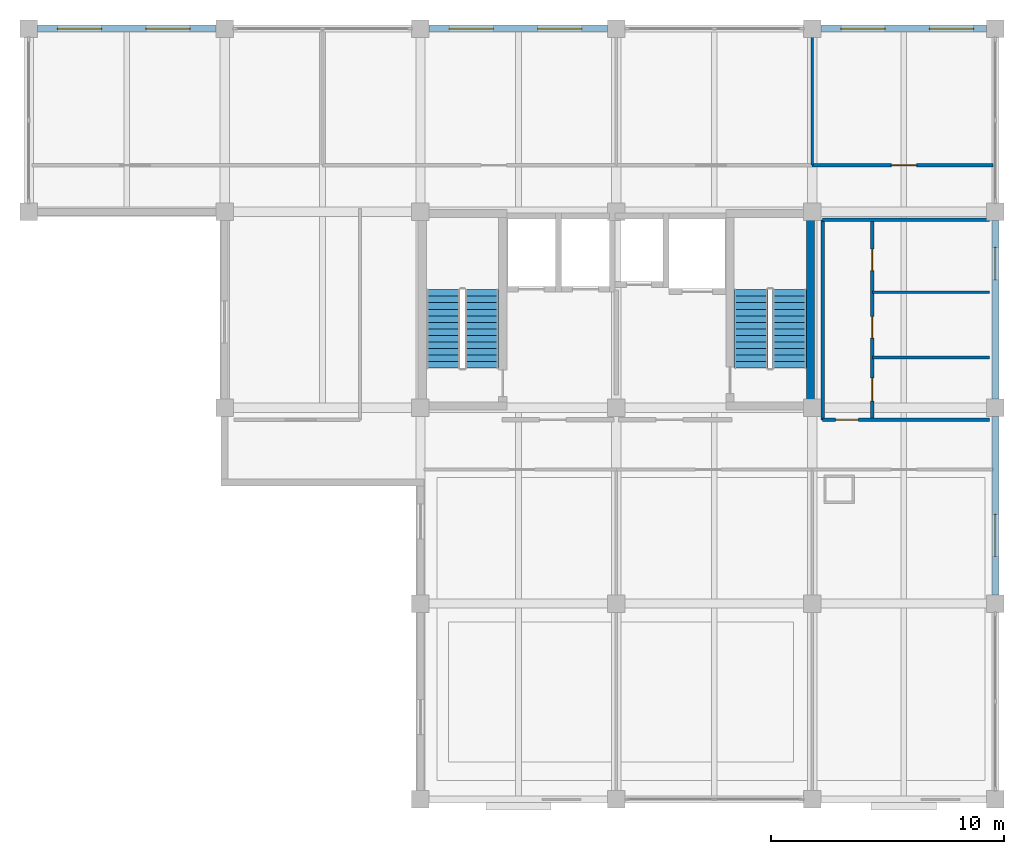
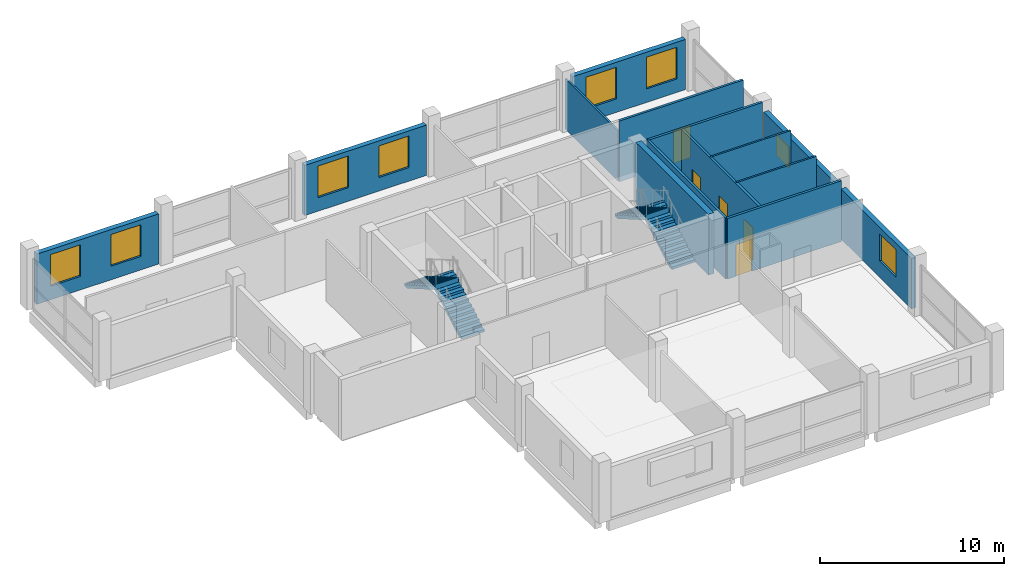
# One storey, part 8 of 9: 14 walls, 8 windows, 5 doors, 4 stair flights, 13 openings, 2 elements without a shape of their own.
"""IFC4 building model written with IfcOpenShell, lengths in metres."""

from ifc_helpers import new_model, si_unit, direction, frame, frame_2d, origin, place, context, subcontext, project, spatial, polyline, rectangle, outline, extrude, material, layer, layer_set, type_object, element, fill, aggregate, save


model = new_model("IFC4")

# Units and contexts
model_context = context("Model", 3, precision=1e-05, world=origin(), true_north=direction((0.0, 1.0)))
body_context = subcontext(model_context, "Body", "Model", "MODEL_VIEW")
ifc_project = project(units=[si_unit("LENGTHUNIT", "METRE"), si_unit("AREAUNIT", "SQUARE_METRE"), si_unit("VOLUMEUNIT", "CUBIC_METRE"), si_unit("PLANEANGLEUNIT", "RADIAN"), si_unit("MASSUNIT", "GRAM", prefix="KILO")], contexts=[model_context])

# Site, building, storey
site_placement = place(None, origin())
site = spatial("IfcSite", under=ifc_project, at=site_placement, CompositionType="ELEMENT")
building_placement = place(site_placement, origin())
building = spatial("IfcBuilding", under=site, at=building_placement, Name="Brinegate Botanical Conservatory", CompositionType="ELEMENT")
storey_placement = place(building_placement, frame((0.0, 0.0, 52.800048828125)))
storey = spatial("IfcBuildingStorey", under=building, at=storey_placement, Name="L13", CompositionType="ELEMENT", Elevation=52.800048828125)

# Wall, openings, windows
ifc_material_1 = material(Name="Insulated Minnan red clay brick masonry", Category="masonry")
ifc_layer_1 = layer(ifc_material_1, 0.300048828125, Name="Insulated Minnan red clay brick masonry", Category="masonry")
ifc_layer_set_1 = layer_set([ifc_layer_1], Name="Insulated Minnan red clay brick masonry")
wall_type_1 = type_object("IfcWallType", Name="Wall_EW-300B", PredefinedType="STANDARD", material=ifc_layer_set_1)
wall_1_placement = place(storey_placement, frame((122.375, 111.449951171875, 0.0), z_axis=(0.0, 0.0, 1.0), x_axis=(1.0, 0.0, 0.0)))
wall_1 = element("IfcWall", 1, at=wall_1_placement, inside=storey, type_object=wall_type_1, Name="Research lab north brick wall L13.1", PredefinedType="STANDARD", context=body_context, shape_type="SweptSolid", body=[
    extrude(rectangle(XDim=7.64990234375, YDim=0.300048828125, at=frame_2d((3.824951171875, 0.0))), origin(), (0.0, 0.0, 1.0), 3.329833984375),
])
opening_1_placement = place(wall_1_placement, frame((0.85009765625, 0.0, 0.89990234375)))
opening_1 = element("IfcOpeningElement", 2, at=opening_1_placement, cuts=wall_1, Name="Opening WN-19", PredefinedType="OPENING", context=body_context, shape_type="SweptSolid", body=[
    extrude(rectangle(XDim=1.89990234375, YDim=2.10009765625, at=frame_2d((0.949951171875, 1.050048828125))), frame((0.0, 0.159912109375, 0.0), z_axis=(0.0, -1.0, 0.0), x_axis=(1.0, 0.0, 0.0)), (0.0, 0.0, 1.0), 0.320068359375),
])
opening_2_placement = place(wall_1_placement, frame((4.64990234375, 0.0, 0.89990234375)))
opening_2 = element("IfcOpeningElement", 3, at=opening_2_placement, cuts=wall_1, Name="Opening WN-19", PredefinedType="OPENING", context=body_context, shape_type="SweptSolid", body=[
    extrude(rectangle(XDim=1.89990234375, YDim=2.10009765625, at=frame_2d((0.949951171875, 1.050048828125))), frame((0.0, 0.159912109375, 0.0), z_axis=(0.0, -1.0, 0.0), x_axis=(1.0, 0.0, 0.0)), (0.0, 0.0, 1.0), 0.320068359375),
])
ifc_material_2 = material(Name="Thermally broken aluminium-framed Low-E glass", Category="aluminium")
window_type_1 = type_object("IfcWindowType", Name="Win_WN-19", PartitioningType="DOUBLE_PANEL_VERTICAL", PredefinedType="WINDOW", material=ifc_material_2)
window_1_placement = place(opening_1_placement, origin())
window_1 = element("IfcWindow", 4, at=window_1_placement, inside=storey, type_object=window_type_1, Name="Research lab north window L13.1A", OverallHeight=2.10009765625, OverallWidth=1.89990234375, PartitioningType="DOUBLE_PANEL_VERTICAL", PredefinedType="WINDOW", context=body_context, shape_type="SweptSolid", body=[
    extrude(rectangle(XDim=1.89990234375, YDim=2.10009765625, at=frame_2d((0.949951171875, 1.050048828125))), frame((0.0, 0.030029296875, 0.0), z_axis=(0.0, -1.0, 0.0), x_axis=(1.0, 0.0, 0.0)), (0.0, 0.0, 1.0), 0.06005859375),
])
fill(opening_1, window_1)
window_2_placement = place(opening_2_placement, origin())
window_2 = element("IfcWindow", 5, at=window_2_placement, inside=storey, type_object=window_type_1, Name="Research lab north window L13.1B", OverallHeight=2.10009765625, OverallWidth=1.89990234375, PartitioningType="DOUBLE_PANEL_VERTICAL", PredefinedType="WINDOW", context=body_context, shape_type="SweptSolid", body=[
    extrude(rectangle(XDim=1.89990234375, YDim=2.10009765625, at=frame_2d((0.949951171875, 1.050048828125))), frame((0.0, 0.030029296875, 0.0), z_axis=(0.0, -1.0, 0.0), x_axis=(1.0, 0.0, 0.0)), (0.0, 0.0, 1.0), 0.06005859375),
])
fill(opening_2, window_2)

wall_2_placement = place(storey_placement, frame((139.175048828125, 111.449951171875, 0.0), z_axis=(0.0, 0.0, 1.0), x_axis=(1.0, 0.0, 0.0)))
wall_2 = element("IfcWall", 6, at=wall_2_placement, inside=storey, type_object=wall_type_1, Name="Research lab north brick wall L13.3", PredefinedType="STANDARD", context=body_context, shape_type="SweptSolid", body=[
    extrude(rectangle(XDim=7.64990234375, YDim=0.300048828125, at=frame_2d((3.824951171875, 0.0))), origin(), (0.0, 0.0, 1.0), 3.329833984375),
])
opening_3_placement = place(wall_2_placement, frame((0.85009765625, 0.0, 0.89990234375)))
opening_3 = element("IfcOpeningElement", 7, at=opening_3_placement, cuts=wall_2, Name="Opening WN-19", PredefinedType="OPENING", context=body_context, shape_type="SweptSolid", body=[
    extrude(rectangle(XDim=1.89990234375, YDim=2.10009765625, at=frame_2d((0.949951171875, 1.050048828125))), frame((0.0, 0.159912109375, 0.0), z_axis=(0.0, -1.0, 0.0), x_axis=(1.0, 0.0, 0.0)), (0.0, 0.0, 1.0), 0.320068359375),
])
opening_4_placement = place(wall_2_placement, frame((4.64990234375, 0.0, 0.89990234375)))
opening_4 = element("IfcOpeningElement", 8, at=opening_4_placement, cuts=wall_2, Name="Opening WN-19", PredefinedType="OPENING", context=body_context, shape_type="SweptSolid", body=[
    extrude(rectangle(XDim=1.89990234375, YDim=2.10009765625, at=frame_2d((0.949951171875, 1.050048828125))), frame((0.0, 0.159912109375, 0.0), z_axis=(0.0, -1.0, 0.0), x_axis=(1.0, 0.0, 0.0)), (0.0, 0.0, 1.0), 0.320068359375),
])
window_3_placement = place(opening_3_placement, origin())
window_3 = element("IfcWindow", 9, at=window_3_placement, inside=storey, type_object=window_type_1, Name="Research lab north window L13.3A", OverallHeight=2.10009765625, OverallWidth=1.89990234375, PartitioningType="DOUBLE_PANEL_VERTICAL", PredefinedType="WINDOW", context=body_context, shape_type="SweptSolid", body=[
    extrude(rectangle(XDim=1.89990234375, YDim=2.10009765625, at=frame_2d((0.949951171875, 1.050048828125))), frame((0.0, 0.030029296875, 0.0), z_axis=(0.0, -1.0, 0.0), x_axis=(1.0, 0.0, 0.0)), (0.0, 0.0, 1.0), 0.06005859375),
])
fill(opening_3, window_3)
window_4_placement = place(opening_4_placement, origin())
window_4 = element("IfcWindow", 10, at=window_4_placement, inside=storey, type_object=window_type_1, Name="Research lab north window L13.3B", OverallHeight=2.10009765625, OverallWidth=1.89990234375, PartitioningType="DOUBLE_PANEL_VERTICAL", PredefinedType="WINDOW", context=body_context, shape_type="SweptSolid", body=[
    extrude(rectangle(XDim=1.89990234375, YDim=2.10009765625, at=frame_2d((0.949951171875, 1.050048828125))), frame((0.0, 0.030029296875, 0.0), z_axis=(0.0, -1.0, 0.0), x_axis=(1.0, 0.0, 0.0)), (0.0, 0.0, 1.0), 0.06005859375),
])
fill(opening_4, window_4)

wall_3_placement = place(storey_placement, frame((155.97509765625, 111.449951171875, 0.0), z_axis=(0.0, 0.0, 1.0), x_axis=(1.0, 0.0, 0.0)))
wall_3 = element("IfcWall", 11, at=wall_3_placement, inside=storey, type_object=wall_type_1, Name="Research lab north brick wall L13.5", PredefinedType="STANDARD", context=body_context, shape_type="SweptSolid", body=[
    extrude(rectangle(XDim=7.099853515625, YDim=0.300048828125, at=frame_2d((3.5498046875, 0.0))), origin(), (0.0, 0.0, 1.0), 3.329833984375),
])
opening_5_placement = place(wall_3_placement, frame((0.85009765625, 0.0, 0.89990234375)))
opening_5 = element("IfcOpeningElement", 12, at=opening_5_placement, cuts=wall_3, Name="Opening WN-19", PredefinedType="OPENING", context=body_context, shape_type="SweptSolid", body=[
    extrude(rectangle(XDim=1.89990234375, YDim=2.10009765625, at=frame_2d((0.949951171875, 1.050048828125))), frame((0.0, 0.159912109375, 0.0), z_axis=(0.0, -1.0, 0.0), x_axis=(1.0, 0.0, 0.0)), (0.0, 0.0, 1.0), 0.320068359375),
])
opening_6_placement = place(wall_3_placement, frame((4.64990234375, 0.0, 0.89990234375)))
opening_6 = element("IfcOpeningElement", 13, at=opening_6_placement, cuts=wall_3, Name="Opening WN-19", PredefinedType="OPENING", context=body_context, shape_type="SweptSolid", body=[
    extrude(rectangle(XDim=1.89990234375, YDim=2.10009765625, at=frame_2d((0.949951171875, 1.050048828125))), frame((0.0, 0.159912109375, 0.0), z_axis=(0.0, -1.0, 0.0), x_axis=(1.0, 0.0, 0.0)), (0.0, 0.0, 1.0), 0.320068359375),
])
window_5_placement = place(opening_5_placement, origin())
window_5 = element("IfcWindow", 14, at=window_5_placement, inside=storey, type_object=window_type_1, Name="Research lab north window L13.5A", OverallHeight=2.10009765625, OverallWidth=1.89990234375, PartitioningType="DOUBLE_PANEL_VERTICAL", PredefinedType="WINDOW", context=body_context, shape_type="SweptSolid", body=[
    extrude(rectangle(XDim=1.89990234375, YDim=2.10009765625, at=frame_2d((0.949951171875, 1.050048828125))), frame((0.0, 0.030029296875, 0.0), z_axis=(0.0, -1.0, 0.0), x_axis=(1.0, 0.0, 0.0)), (0.0, 0.0, 1.0), 0.06005859375),
])
fill(opening_5, window_5)
window_6_placement = place(opening_6_placement, origin())
window_6 = element("IfcWindow", 15, at=window_6_placement, inside=storey, type_object=window_type_1, Name="Research lab north window L13.5B", OverallHeight=2.10009765625, OverallWidth=1.89990234375, PartitioningType="DOUBLE_PANEL_VERTICAL", PredefinedType="WINDOW", context=body_context, shape_type="SweptSolid", body=[
    extrude(rectangle(XDim=1.89990234375, YDim=2.10009765625, at=frame_2d((0.949951171875, 1.050048828125))), frame((0.0, 0.030029296875, 0.0), z_axis=(0.0, -1.0, 0.0), x_axis=(1.0, 0.0, 0.0)), (0.0, 0.0, 1.0), 0.06005859375),
])
fill(opening_6, window_6)

# Wall, opening, window
wall_4_placement = place(storey_placement, frame((163.449951171875, 94.824951171875, 0.0), z_axis=(0.0, 0.0, 1.0), x_axis=(0.0, -1.0, 0.0)))
wall_4 = element("IfcWall", 16, at=wall_4_placement, inside=storey, type_object=wall_type_1, Name="Tower east brick wall L13.2", PredefinedType="STANDARD", context=body_context, shape_type="SweptSolid", body=[
    extrude(rectangle(XDim=7.64990234375, YDim=0.300048828125, at=frame_2d((3.824951171875, 0.0))), origin(), (0.0, 0.0, 1.0), 3.329833984375),
])
opening_7_placement = place(wall_4_placement, frame((4.199951171875, 0.0, 1.10009765625)))
opening_7 = element("IfcOpeningElement", 17, at=opening_7_placement, cuts=wall_4, Name="Opening WN-05", PredefinedType="OPENING", context=body_context, shape_type="SweptSolid", body=[
    extrude(rectangle(XDim=1.800048828125, YDim=1.800048828125, at=frame_2d((0.89990234375, 0.89990234375))), frame((0.0, 0.159912109375, 0.0), z_axis=(0.0, -1.0, 0.0), x_axis=(1.0, 0.0, 0.0)), (0.0, 0.0, 1.0), 0.320068359375),
])
window_type_2 = type_object("IfcWindowType", Name="Win_WN-05", PartitioningType="DOUBLE_PANEL_VERTICAL", PredefinedType="WINDOW", material=ifc_material_2)
window_7_placement = place(opening_7_placement, origin())
window_7 = element("IfcWindow", 18, at=window_7_placement, inside=storey, type_object=window_type_2, Name="Tower east window L13.2", OverallHeight=1.800048828125, OverallWidth=1.800048828125, PartitioningType="DOUBLE_PANEL_VERTICAL", PredefinedType="WINDOW", context=body_context, shape_type="SweptSolid", body=[
    extrude(rectangle(XDim=1.800048828125, YDim=1.800048828125, at=frame_2d((0.89990234375, 0.89990234375))), frame((0.0, 0.030029296875, 0.0), z_axis=(0.0, -1.0, 0.0), x_axis=(1.0, 0.0, 0.0)), (0.0, 0.0, 1.0), 0.06005859375),
])
fill(opening_7, window_7)

wall_5_placement = place(storey_placement, frame((163.449951171875, 103.22509765625, 0.0), z_axis=(0.0, 0.0, 1.0), x_axis=(0.0, -1.0, 0.0)))
wall_5 = element("IfcWall", 19, at=wall_5_placement, inside=storey, type_object=wall_type_1, Name="Tower east brick wall L13.3", PredefinedType="STANDARD", context=body_context, shape_type="SweptSolid", body=[
    extrude(rectangle(XDim=7.650146484375, YDim=0.300048828125, at=frame_2d((3.8251953125, 0.0))), origin(), (0.0, 0.0, 1.0), 3.329833984375),
])
opening_8_placement = place(wall_5_placement, frame((1.14990234375, 0.0, 1.10009765625)))
opening_8 = element("IfcOpeningElement", 20, at=opening_8_placement, cuts=wall_5, Name="Opening WN-16", PredefinedType="OPENING", context=body_context, shape_type="SweptSolid", body=[
    extrude(rectangle(XDim=1.39990234375, YDim=1.39990234375, at=frame_2d((0.699951171875, 0.699951171875))), frame((0.0, 0.159912109375, 0.0), z_axis=(0.0, -1.0, 0.0), x_axis=(1.0, 0.0, 0.0)), (0.0, 0.0, 1.0), 0.320068359375),
])
window_type_3 = type_object("IfcWindowType", Name="Win_WN-16", PartitioningType="SINGLE_PANEL", PredefinedType="WINDOW", material=ifc_material_2)
window_8_placement = place(opening_8_placement, origin())
window_8 = element("IfcWindow", 21, at=window_8_placement, inside=storey, type_object=window_type_3, Name="Tower east window L13.3", OverallHeight=1.39990234375, OverallWidth=1.39990234375, PartitioningType="SINGLE_PANEL", PredefinedType="WINDOW", context=body_context, shape_type="SweptSolid", body=[
    extrude(rectangle(XDim=1.39990234375, YDim=1.39990234375, at=frame_2d((0.699951171875, 0.699951171875))), frame((0.0, 0.030029296875, 0.0), z_axis=(0.0, -1.0, 0.0), x_axis=(1.0, 0.0, 0.0)), (0.0, 0.0, 1.0), 0.06005859375),
])
fill(opening_8, window_8)

# Walls
ifc_material_3 = material(Name="Gypsum-clad lightweight partition", Category="gypsum")
ifc_layer_2 = layer(ifc_material_3, 0.112060546875, Name="Gypsum-clad lightweight partition", Category="gypsum")
ifc_layer_set_2 = layer_set([ifc_layer_2], Name="Gypsum-clad lightweight partition")
wall_type_2 = type_object("IfcWallType", Name="Wall_PW-112", PredefinedType="PARTITIONING", material=ifc_layer_set_2)
for number, where, z_axis, x_axis, name in (
    (22, (158.179931640625, 97.35009765625, 0.0), (0.0, 0.0, 1.0), (1.0, 0.0, 0.0), "Interior partition P-L13-WCD-9735"),
    (23, (158.179931640625, 100.14990234375, 0.0), (0.0, 0.0, 1.0), (1.0, 0.0, 0.0), "Interior partition P-L13-WCD-10015"),
):
    element("IfcWall", number, at=place(storey_placement, frame(where, z_axis=z_axis, x_axis=x_axis)), inside=storey, type_object=wall_type_2, Name=name, PredefinedType="PARTITIONING", context=body_context, shape_type="SweptSolid", body=[
        extrude(rectangle(XDim=5.02001953125, YDim=0.112060546875, at=frame_2d((2.510009765625, 0.0))), origin(), (0.0, 0.0, 1.0), 4.030029296875),
    ])
wall_6_placement = place(storey_placement, frame((155.60009765625, 105.60009765625, 0.0), z_axis=(0.0, 0.0, 1.0), x_axis=(0.0, 1.0, 0.0)))
element("IfcWall", 24, at=wall_6_placement, inside=storey, type_object=wall_type_2, Name="Interior partition P-L13-NDIV-N4", PredefinedType="PARTITIONING", context=body_context, shape_type="SweptSolid", body=[
    extrude(rectangle(XDim=5.75, YDim=0.112060546875, at=frame_2d((2.875, 0.0))), origin(), (0.0, 0.0, 1.0), 3.329833984375),
])

# Wall, opening, door
ifc_material_4 = material(Name="Gypsum-clad acoustic steel-stud partition", Category="steel")
ifc_layer_3 = layer(ifc_material_4, 0.14501953125, Name="Gypsum-clad acoustic steel-stud partition", Category="steel")
ifc_layer_set_3 = layer_set([ifc_layer_3], Name="Gypsum-clad acoustic steel-stud partition")
wall_type_3 = type_object("IfcWallType", Name="Wall_PW-150", PredefinedType="PARTITIONING", material=ifc_layer_set_3)
wall_7_placement = place(storey_placement, frame((155.60009765625, 105.60009765625, 0.0), z_axis=(0.0, 0.0, 1.0), x_axis=(1.0, 0.0, 0.0)))
wall_7 = element("IfcWall", 25, at=wall_7_placement, inside=storey, type_object=wall_type_3, Name="Interior partition P-L13-NB-N4", PredefinedType="PARTITIONING", context=body_context, shape_type="SweptSolid", body=[
    extrude(rectangle(XDim=7.75, YDim=0.14501953125, at=frame_2d((3.875, 0.0))), origin(), (0.0, 0.0, 1.0), 4.030029296875),
])
opening_9_placement = place(wall_7_placement, frame((3.39990234375, 0.0, 0.0)))
opening_9 = element("IfcOpeningElement", 26, at=opening_9_placement, cuts=wall_7, Name="Opening DR-01", PredefinedType="OPENING", context=body_context, shape_type="SweptSolid", body=[
    extrude(rectangle(XDim=1.080078125, YDim=2.14990234375, at=frame_2d((0.5400390625, 1.074951171875))), frame((0.0, 0.08251953125, 0.0), z_axis=(0.0, -1.0, 0.0), x_axis=(1.0, 0.0, 0.0)), (0.0, 0.0, 1.0), 0.1650390625),
])
ifc_material_5 = material(Name="Hardwood timber acoustic leaf", Category="wood")
door_type_1 = type_object("IfcDoorType", Name="Door_DR-01", OperationType="NOTDEFINED", PredefinedType="DOOR", material=ifc_material_5)
door_1_placement = place(opening_9_placement, origin())
door_1 = element("IfcDoor", 27, at=door_1_placement, inside=storey, type_object=door_type_1, Name="DR-P-L13-NB-N4-1", OperationType="SINGLE_SWING_RIGHT", OverallHeight=2.14990234375, OverallWidth=1.080078125, PredefinedType="DOOR", context=body_context, shape_type="SweptSolid", body=[
    extrude(rectangle(XDim=1.080078125, YDim=2.14990234375, at=frame_2d((0.5400390625, 1.074951171875))), frame((0.0, 0.02490234375, 0.0), z_axis=(0.0, -1.0, 0.0), x_axis=(1.0, 0.0, 0.0)), (0.0, 0.0, 1.0), 0.050048828125),
])
fill(opening_9, door_1)

ifc_material_6 = material(Name="Moisture-resistant cement-board partition", Category="gypsum")
ifc_layer_4 = layer(ifc_material_6, 0.14990234375, Name="Moisture-resistant cement-board partition", Category="gypsum")
ifc_layer_set_4 = layer_set([ifc_layer_4], Name="Moisture-resistant cement-board partition")
wall_type_4 = type_object("IfcWallType", Name="Wall_PW-150W", PredefinedType="PARTITIONING", material=ifc_layer_set_4)
wall_8_placement = place(storey_placement, frame((156.050048828125, 94.679931640625, 0.0), z_axis=(0.0, 0.0, 1.0), x_axis=(1.0, 0.0, 0.0)))
wall_8 = element("IfcWall", 28, at=wall_8_placement, inside=storey, type_object=wall_type_4, Name="Interior partition P-L13-WCS", PredefinedType="PARTITIONING", context=body_context, shape_type="SweptSolid", body=[
    extrude(rectangle(XDim=7.14990234375, YDim=0.14990234375, at=frame_2d((3.574951171875, 0.0))), origin(), (0.0, 0.0, 1.0), 4.030029296875),
])
opening_10_placement = place(wall_8_placement, frame((0.550048828125, 0.0, 0.0)))
opening_10 = element("IfcOpeningElement", 29, at=opening_10_placement, cuts=wall_8, Name="Opening DR-03", PredefinedType="OPENING", context=body_context, shape_type="SweptSolid", body=[
    extrude(rectangle(XDim=0.97998046875, YDim=2.1201171875, at=frame_2d((0.489990234375, 1.06005859375))), frame((0.0, 0.0849609375, 0.0), z_axis=(0.0, -1.0, 0.0), x_axis=(1.0, 0.0, 0.0)), (0.0, 0.0, 1.0), 0.169921875),
])
ifc_material_7 = material(Name="Steel-core hardwood smoke-sealed fire door", Category="steel")
door_type_2 = type_object("IfcDoorType", Name="Door_DR-03", OperationType="NOTDEFINED", PredefinedType="DOOR", material=ifc_material_7)
door_2_placement = place(opening_10_placement, origin())
door_2 = element("IfcDoor", 30, at=door_2_placement, inside=storey, type_object=door_type_2, Name="DR-P-L13-WCS-1", OperationType="SINGLE_SWING_LEFT", OverallHeight=2.1201171875, OverallWidth=0.97998046875, PredefinedType="DOOR", context=body_context, shape_type="SweptSolid", body=[
    extrude(rectangle(XDim=0.97998046875, YDim=2.1201171875, at=frame_2d((0.489990234375, 1.06005859375))), frame((0.0, 0.02490234375, 0.0), z_axis=(0.0, -1.0, 0.0), x_axis=(1.0, 0.0, 0.0)), (0.0, 0.0, 1.0), 0.050048828125),
])
fill(opening_10, door_2)

# Wall, openings, doors
wall_9_placement = place(storey_placement, frame((158.179931640625, 94.679931640625, 0.0), z_axis=(0.0, 0.0, 1.0), x_axis=(0.0, 1.0, 0.0)))
wall_9 = element("IfcWall", 31, at=wall_9_placement, inside=storey, type_object=wall_type_4, Name="Interior partition P-L13-WCW", PredefinedType="PARTITIONING", context=body_context, shape_type="SweptSolid", body=[
    extrude(rectangle(XDim=8.570068359375, YDim=0.14990234375, at=frame_2d((4.28515625, 0.0))), origin(), (0.0, 0.0, 1.0), 4.030029296875),
])
opening_11_placement = place(wall_9_placement, frame((0.800048828125, 0.0, 0.0)))
opening_11 = element("IfcOpeningElement", 32, at=opening_11_placement, cuts=wall_9, Name="Opening DR-ACC", PredefinedType="OPENING", context=body_context, shape_type="SweptSolid", body=[
    extrude(rectangle(XDim=1.0, YDim=2.1201171875, at=frame_2d((0.5, 1.06005859375))), frame((0.0, 0.0849609375, 0.0), z_axis=(0.0, -1.0, 0.0), x_axis=(1.0, 0.0, 0.0)), (0.0, 0.0, 1.0), 0.169921875),
])
opening_12_placement = place(wall_9_placement, frame((3.5, 0.0, 0.0)))
opening_12 = element("IfcOpeningElement", 33, at=opening_12_placement, cuts=wall_9, Name="Opening DR-04", PredefinedType="OPENING", context=body_context, shape_type="SweptSolid", body=[
    extrude(rectangle(XDim=0.919921875, YDim=2.10009765625, at=frame_2d((0.4599609375, 1.050048828125))), frame((0.0, 0.0849609375, 0.0), z_axis=(0.0, -1.0, 0.0), x_axis=(1.0, 0.0, 0.0)), (0.0, 0.0, 1.0), 0.169921875),
])
opening_13_placement = place(wall_9_placement, frame((6.39990234375, 0.0, 0.0)))
opening_13 = element("IfcOpeningElement", 34, at=opening_13_placement, cuts=wall_9, Name="Opening DR-04", PredefinedType="OPENING", context=body_context, shape_type="SweptSolid", body=[
    extrude(rectangle(XDim=0.919921875, YDim=2.10009765625, at=frame_2d((0.4599609375, 1.050048828125))), frame((0.0, 0.0849609375, 0.0), z_axis=(0.0, -1.0, 0.0), x_axis=(1.0, 0.0, 0.0)), (0.0, 0.0, 1.0), 0.169921875),
])
ifc_material_8 = material(Name="Moisture-resistant laminate timber leaf", Category="wood")
door_type_3 = type_object("IfcDoorType", Name="Door_DR-04", OperationType="NOTDEFINED", PredefinedType="DOOR", material=ifc_material_8)
door_3_placement = place(opening_12_placement, origin())
door_3 = element("IfcDoor", 35, at=door_3_placement, inside=storey, type_object=door_type_3, Name="DR-P-L13-WCW-2", OperationType="SINGLE_SWING_RIGHT", OverallHeight=2.10009765625, OverallWidth=0.919921875, PredefinedType="DOOR", context=body_context, shape_type="SweptSolid", body=[
    extrude(rectangle(XDim=0.919921875, YDim=2.10009765625, at=frame_2d((0.4599609375, 1.050048828125))), frame((0.0, 0.02490234375, 0.0), z_axis=(0.0, -1.0, 0.0), x_axis=(1.0, 0.0, 0.0)), (0.0, 0.0, 1.0), 0.050048828125),
])
fill(opening_12, door_3)
door_4_placement = place(opening_13_placement, origin())
door_4 = element("IfcDoor", 36, at=door_4_placement, inside=storey, type_object=door_type_3, Name="DR-P-L13-WCW-3", OperationType="SINGLE_SWING_LEFT", OverallHeight=2.10009765625, OverallWidth=0.919921875, PredefinedType="DOOR", context=body_context, shape_type="SweptSolid", body=[
    extrude(rectangle(XDim=0.919921875, YDim=2.10009765625, at=frame_2d((0.4599609375, 1.050048828125))), frame((0.0, 0.02490234375, 0.0), z_axis=(0.0, -1.0, 0.0), x_axis=(1.0, 0.0, 0.0)), (0.0, 0.0, 1.0), 0.050048828125),
])
fill(opening_13, door_4)
ifc_material_9 = material(Name="Moisture-resistant barrier-free timber leaf", Category="wood")
door_type_4 = type_object("IfcDoorType", Name="Door_DR-ACC", OperationType="NOTDEFINED", PredefinedType="DOOR", material=ifc_material_9)
door_5_placement = place(opening_11_placement, origin())
door_5 = element("IfcDoor", 37, at=door_5_placement, inside=storey, type_object=door_type_4, Name="DR-P-L13-WCW-1", OperationType="SINGLE_SWING_LEFT", OverallHeight=2.1201171875, OverallWidth=1.0, PredefinedType="DOOR", context=body_context, shape_type="SweptSolid", body=[
    extrude(rectangle(XDim=1.0, YDim=2.1201171875, at=frame_2d((0.5, 1.06005859375))), frame((0.0, 0.02490234375, 0.0), z_axis=(0.0, -1.0, 0.0), x_axis=(1.0, 0.0, 0.0)), (0.0, 0.0, 1.0), 0.050048828125),
])
fill(opening_11, door_5)

# Walls
wall_10_placement = place(storey_placement, frame((156.050048828125, 103.25, 0.0), z_axis=(0.0, 0.0, 1.0), x_axis=(1.0, 0.0, 0.0)))
element("IfcWall", 38, at=wall_10_placement, inside=storey, type_object=wall_type_4, Name="Interior partition P-L13-WCN", PredefinedType="PARTITIONING", context=body_context, shape_type="SweptSolid", body=[
    extrude(rectangle(XDim=7.14990234375, YDim=0.14990234375, at=frame_2d((3.574951171875, 0.0))), origin(), (0.0, 0.0, 1.0), 4.030029296875),
])
wall_11_placement = place(storey_placement, frame((156.050048828125, 94.679931640625, 0.0), z_axis=(0.0, 0.0, 1.0), x_axis=(0.0, 1.0, 0.0)))
element("IfcWall", 39, at=wall_11_placement, inside=storey, type_object=wall_type_4, Name="Interior partition P-L13-WCWW", PredefinedType="PARTITIONING", context=body_context, shape_type="SweptSolid", body=[
    extrude(rectangle(XDim=8.570068359375, YDim=0.14990234375, at=frame_2d((4.28515625, 0.0))), origin(), (0.0, 0.0, 1.0), 4.030029296875),
])
ifc_material_10 = material(Name="Concrete C40/50", Category="concrete")
ifc_layer_5 = layer(ifc_material_10, 0.35009765625, Name="Concrete C40/50", Category="concrete")
ifc_layer_set_5 = layer_set([ifc_layer_5], Name="Concrete C40/50")
wall_type_5 = type_object("IfcWallType", Name="Wall_SW-350", PredefinedType="SHEAR", material=ifc_layer_set_5)
wall_12_placement = place(storey_placement, frame((155.52490234375, 95.449951171875, 0.0), z_axis=(0.0, 0.0, 1.0), x_axis=(0.0, 1.0, 0.0)))
element("IfcWall", 40, at=wall_12_placement, inside=storey, type_object=wall_type_5, Name="Stairwell ST2 shear wall L13 E", PredefinedType="SHEAR", context=body_context, shape_type="SweptSolid", body=[
    extrude(rectangle(XDim=7.900146484375, YDim=0.35009765625, at=frame_2d((3.9501953125, 0.0))), origin(), (0.0, 0.0, 1.0), 4.030029296875),
])

# Stair, stair flights
stair_type = type_object("IfcStairType", Name="Stair_HT-4200", PredefinedType="HALF_TURN_STAIR", material=ifc_material_10)
stair_1_placement = place(storey_placement, origin())
stair_1 = element("IfcStair", 41, at=stair_1_placement, inside=storey, type_object=stair_type, Name="L13 Tower West Smoke-Proof Stair ST1", PredefinedType="HALF_TURN_STAIR")
stair_flight_type = type_object("IfcStairFlightType", Name="Flight_SF-4200", PredefinedType="STRAIGHT", material=ifc_material_10)
stair_flight_1_placement = place(storey_placement, frame((141.425048828125, 96.89990234375, 0.0), z_axis=(0.0, 0.0, 1.0), x_axis=(0.0, 1.0, 0.0)))
stair_flight_1 = element("IfcStairFlight", 42, at=stair_flight_1_placement, type_object=stair_flight_type, Name="ST1 flight 1", NumberOfRisers=13, NumberOfTreads=12, PredefinedType="STRAIGHT", RiserHeight=0.161538462, TreadLength=0.28, context=body_context, shape_type="SweptSolid", body=[
    extrude(outline(polyline([(-0.00048828125, 0.0), (-0.00048828125, 0.16162109375), (0.280029296875, 0.16162109375), (0.280029296875, 0.322998046875), (0.56005859375, 0.322998046875), (0.56005859375, 0.484619140625), (0.840087890625, 0.484619140625), (0.840087890625, 0.646240234375), (1.1201171875, 0.646240234375), (1.1201171875, 0.8076171875), (1.39990234375, 0.8076171875), (1.39990234375, 0.96923828125), (1.679931640625, 0.96923828125), (1.679931640625, 1.130859375), (1.9599609375, 1.130859375), (1.9599609375, 1.292236328125), (2.239990234375, 1.292236328125), (2.239990234375, 1.453857421875), (2.52001953125, 1.453857421875), (2.52001953125, 1.615478515625), (2.800048828125, 1.615478515625), (2.800048828125, 1.77685546875), (3.080078125, 1.77685546875), (3.080078125, 1.9384765625), (3.360107421875, 1.9384765625), (3.360107421875, 2.10009765625), (3.360595703125, 2.10009765625), (3.360595703125, 1.765380859375), (0.300048828125, 0.0), (-0.00048828125, 0.0)])), frame((0.0, 0.72509765625, 0.0), z_axis=(0.0, -1.0, 0.0), x_axis=(1.0, 0.0, 0.0)), (0.0, 0.0, 1.0), 1.449951171875),
])
stair_flight_2_placement = place(storey_placement, frame((139.77490234375, 100.260009765625, 2.099853515625), z_axis=(0.0, 0.0, 1.0), x_axis=(0.0, -1.0, 0.0)))
stair_flight_2 = element("IfcStairFlight", 43, at=stair_flight_2_placement, type_object=stair_flight_type, Name="ST1 flight 2", NumberOfRisers=13, NumberOfTreads=12, PredefinedType="STRAIGHT", RiserHeight=0.161538462, TreadLength=0.28, context=body_context, shape_type="SweptSolid", body=[
    extrude(outline(polyline([(-0.00048828125, 0.0), (-0.00048828125, 0.16162109375), (0.280029296875, 0.16162109375), (0.280029296875, 0.322998046875), (0.56005859375, 0.322998046875), (0.56005859375, 0.484619140625), (0.840087890625, 0.484619140625), (0.840087890625, 0.646240234375), (1.1201171875, 0.646240234375), (1.1201171875, 0.8076171875), (1.39990234375, 0.8076171875), (1.39990234375, 0.96923828125), (1.679931640625, 0.96923828125), (1.679931640625, 1.130859375), (1.9599609375, 1.130859375), (1.9599609375, 1.292236328125), (2.239990234375, 1.292236328125), (2.239990234375, 1.453857421875), (2.52001953125, 1.453857421875), (2.52001953125, 1.615478515625), (2.800048828125, 1.615478515625), (2.800048828125, 1.77685546875), (3.080078125, 1.77685546875), (3.080078125, 1.9384765625), (3.360107421875, 1.9384765625), (3.360107421875, 2.10009765625), (3.360595703125, 2.10009765625), (3.360595703125, 1.765380859375), (0.300048828125, 0.0), (-0.00048828125, 0.0)])), frame((0.0, 0.72509765625, 0.0), z_axis=(0.0, -1.0, 0.0), x_axis=(1.0, 0.0, 0.0)), (0.0, 0.0, 1.0), 1.449951171875),
])
aggregate(stair_1, [stair_flight_1, stair_flight_2])

stair_2_placement = place(storey_placement, origin())
stair_2 = element("IfcStair", 44, at=stair_2_placement, inside=storey, type_object=stair_type, Name="L13 Tower East Smoke-Proof Stair ST2", PredefinedType="HALF_TURN_STAIR")
stair_flight_3_placement = place(storey_placement, frame((154.625, 96.89990234375, 0.0), z_axis=(0.0, 0.0, 1.0), x_axis=(0.0, 1.0, 0.0)))
stair_flight_3 = element("IfcStairFlight", 45, at=stair_flight_3_placement, type_object=stair_flight_type, Name="ST2 flight 1", NumberOfRisers=13, NumberOfTreads=12, PredefinedType="STRAIGHT", RiserHeight=0.161538462, TreadLength=0.28, context=body_context, shape_type="SweptSolid", body=[
    extrude(outline(polyline([(-0.00048828125, 0.0), (-0.00048828125, 0.16162109375), (0.280029296875, 0.16162109375), (0.280029296875, 0.322998046875), (0.56005859375, 0.322998046875), (0.56005859375, 0.484619140625), (0.840087890625, 0.484619140625), (0.840087890625, 0.646240234375), (1.1201171875, 0.646240234375), (1.1201171875, 0.8076171875), (1.39990234375, 0.8076171875), (1.39990234375, 0.96923828125), (1.679931640625, 0.96923828125), (1.679931640625, 1.130859375), (1.9599609375, 1.130859375), (1.9599609375, 1.292236328125), (2.239990234375, 1.292236328125), (2.239990234375, 1.453857421875), (2.52001953125, 1.453857421875), (2.52001953125, 1.615478515625), (2.800048828125, 1.615478515625), (2.800048828125, 1.77685546875), (3.080078125, 1.77685546875), (3.080078125, 1.9384765625), (3.360107421875, 1.9384765625), (3.360107421875, 2.10009765625), (3.360595703125, 2.10009765625), (3.360595703125, 1.765380859375), (0.300048828125, 0.0), (-0.00048828125, 0.0)])), frame((0.0, 0.72509765625, 0.0), z_axis=(0.0, -1.0, 0.0), x_axis=(1.0, 0.0, 0.0)), (0.0, 0.0, 1.0), 1.449951171875),
])
stair_flight_4_placement = place(storey_placement, frame((152.97509765625, 100.260009765625, 2.099853515625), z_axis=(0.0, 0.0, 1.0), x_axis=(0.0, -1.0, 0.0)))
stair_flight_4 = element("IfcStairFlight", 46, at=stair_flight_4_placement, type_object=stair_flight_type, Name="ST2 flight 2", NumberOfRisers=13, NumberOfTreads=12, PredefinedType="STRAIGHT", RiserHeight=0.161538462, TreadLength=0.28, context=body_context, shape_type="SweptSolid", body=[
    extrude(outline(polyline([(-0.00048828125, 0.0), (-0.00048828125, 0.16162109375), (0.280029296875, 0.16162109375), (0.280029296875, 0.322998046875), (0.56005859375, 0.322998046875), (0.56005859375, 0.484619140625), (0.840087890625, 0.484619140625), (0.840087890625, 0.646240234375), (1.1201171875, 0.646240234375), (1.1201171875, 0.8076171875), (1.39990234375, 0.8076171875), (1.39990234375, 0.96923828125), (1.679931640625, 0.96923828125), (1.679931640625, 1.130859375), (1.9599609375, 1.130859375), (1.9599609375, 1.292236328125), (2.239990234375, 1.292236328125), (2.239990234375, 1.453857421875), (2.52001953125, 1.453857421875), (2.52001953125, 1.615478515625), (2.800048828125, 1.615478515625), (2.800048828125, 1.77685546875), (3.080078125, 1.77685546875), (3.080078125, 1.9384765625), (3.360107421875, 1.9384765625), (3.360107421875, 2.10009765625), (3.360595703125, 2.10009765625), (3.360595703125, 1.765380859375), (0.300048828125, 0.0), (-0.00048828125, 0.0)])), frame((0.0, 0.72509765625, 0.0), z_axis=(0.0, -1.0, 0.0), x_axis=(1.0, 0.0, 0.0)), (0.0, 0.0, 1.0), 1.449951171875),
])
aggregate(stair_2, [stair_flight_3, stair_flight_4])

save(model, "model.ifc")
